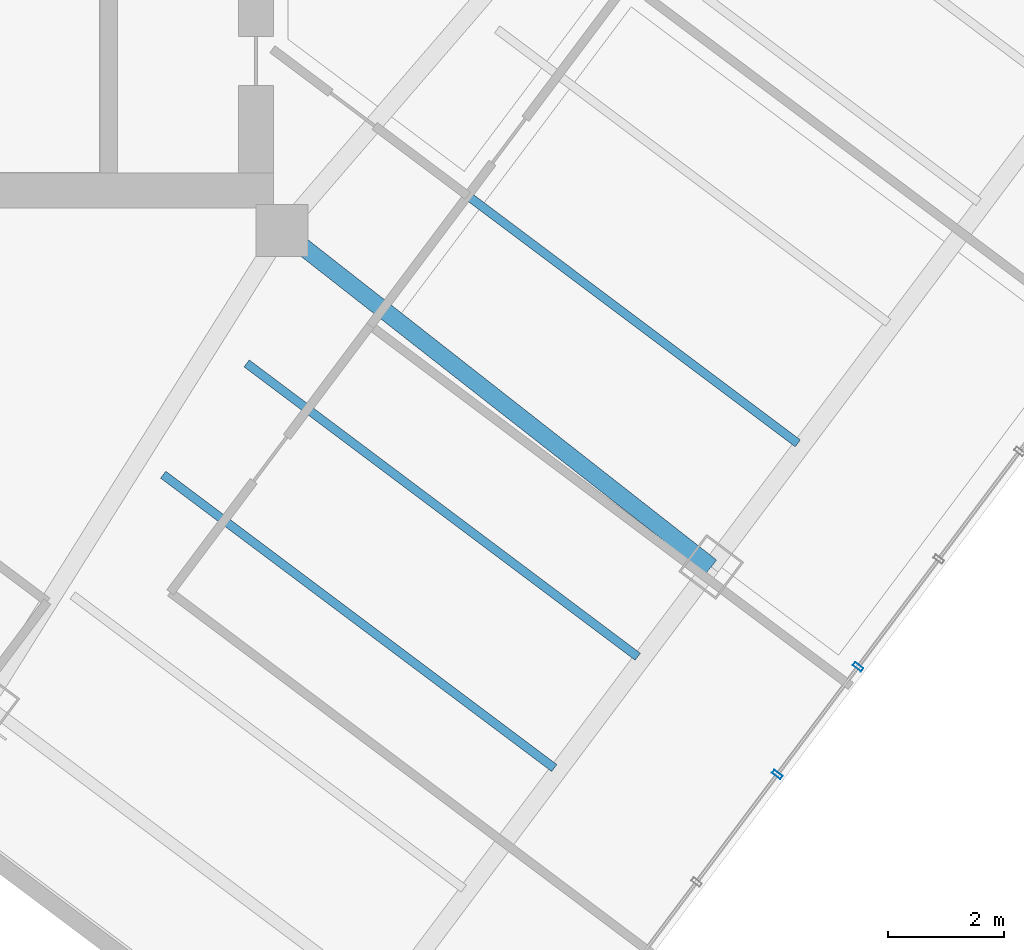
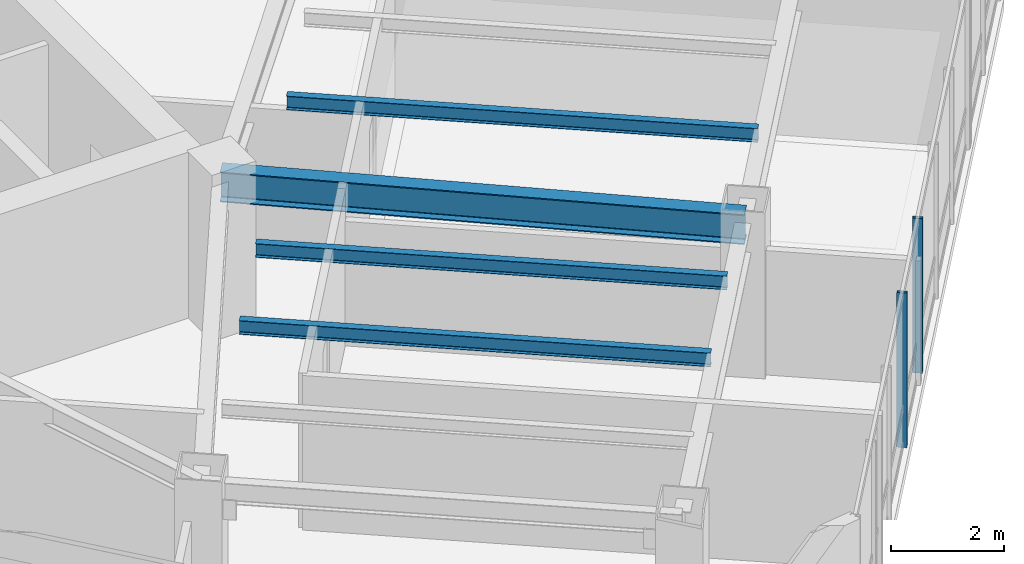
# One storey, part 11 of 27: 4 beams, 2 members, 1 element without a shape of its own.
"""IFC4 building model written with IfcOpenShell, lengths in metres."""

from ifc_helpers import new_model, si_unit, direction, frame, origin, origin_2d, place, context, subcontext, project, spatial, hollow_rectangle, i_section, extrude, material, layer, layer_set, material_profile, profile_set, type_object, element, aggregate, save


model = new_model("IFC4")

# Units and contexts
model_context = context("Model", 3, precision=1e-05, world=origin(), true_north=direction((0.0, 1.0)))
body_context = subcontext(model_context, "Body", "Model", "MODEL_VIEW")
ifc_project = project(units=[si_unit("LENGTHUNIT", "METRE"), si_unit("AREAUNIT", "SQUARE_METRE"), si_unit("VOLUMEUNIT", "CUBIC_METRE"), si_unit("PLANEANGLEUNIT", "RADIAN"), si_unit("MASSUNIT", "GRAM", prefix="KILO")], contexts=[model_context])

# Site, building, storey
site_placement = place(None, origin())
site = spatial("IfcSite", under=ifc_project, at=site_placement, CompositionType="ELEMENT")
building_placement = place(site_placement, origin())
building = spatial("IfcBuilding", under=site, at=building_placement, Name="Hatsunagi Terrace Concourse", CompositionType="ELEMENT")
storey_placement = place(building_placement, frame((0.0, 0.0, 142.050048828125)))
storey = spatial("IfcBuildingStorey", under=building, at=storey_placement, Name="L37", CompositionType="ELEMENT", Elevation=142.050048828125)

# Curtain wall, members
ifc_material_1 = material(Name="Anodised Aluminium Alloy 6063-T5", Category="aluminium")
ifc_layer = layer(ifc_material_1, 0.199951171875)
ifc_layer_set = layer_set([ifc_layer], Name="OfficeZone1_CW03")
curtain_wall_type = type_object("IfcCurtainWallType", Name="OfficeZone1_CW03", PredefinedType="NOTDEFINED", material=ifc_layer_set)
curtain_wall_placement = place(storey_placement, origin())
curtain_wall = element("IfcCurtainWall", 1, at=curtain_wall_placement, inside=storey, type_object=curtain_wall_type, Name="Unitised Curtain Wall CW-03 CW-L37-03", PredefinedType="NOTDEFINED")
ifc_material_2 = material(Name="Anodised Aluminium Alloy 6063-T5", Category="aluminium")
ifc_material_profile_1 = material_profile(ifc_material_2, hollow_rectangle(XDim=0.070068359375, YDim=0.179931640625, WallThickness=0.00390625, at=origin_2d()), Name="ALU-MUL-180x70x4")
ifc_profile_set_1 = profile_set([ifc_material_profile_1], Name="Anodised Aluminium Alloy 6063-T5")
member_type = type_object("IfcMemberType", Name="CurtainWallMullion_180x70", PredefinedType="MULLION", material=ifc_profile_set_1)
member_1_placement = place(storey_placement, frame((53.73193359375, 16.676025390625, 0.0), z_axis=(0.0, 0.0, 1.0), x_axis=(-0.599969314634, -0.800023013105, 0.0)))
member_1 = element("IfcMember", 2, at=member_1_placement, type_object=member_type, Name="Curtain Wall Mullion MUL-02", PredefinedType="MULLION", context=body_context, shape_type="SweptSolid", body=[
    extrude(hollow_rectangle(XDim=0.070068359375, YDim=0.179931640625, WallThickness=0.00390625, at=origin_2d()), origin(), (0.0, 0.0, 1.0), 3.349853515625),
])
member_2_placement = place(storey_placement, frame((52.340087890625, 14.819091796875, 0.0), z_axis=(0.0, 0.0, 1.0), x_axis=(-0.599969314634, -0.800023013105, 0.0)))
member_2 = element("IfcMember", 3, at=member_2_placement, type_object=member_type, Name="Curtain Wall Mullion MUL-02", PredefinedType="MULLION", context=body_context, shape_type="SweptSolid", body=[
    extrude(hollow_rectangle(XDim=0.070068359375, YDim=0.179931640625, WallThickness=0.00390625, at=origin_2d()), origin(), (0.0, 0.0, 1.0), 3.349853515625),
])
aggregate(curtain_wall, [member_1, member_2])

# Beams
ifc_material_3 = material(Name="Steel SN490B", Category="steel")
ifc_material_profile_2 = material_profile(ifc_material_3, i_section(OverallWidth=0.14990234375, OverallDepth=0.300048828125, WebThickness=0.006591796875, FlangeThickness=0.009033203125, FilletRadius=0.010986328125, at=origin_2d()), Name="H-300x150x6.5x9")
ifc_profile_set_2 = profile_set([ifc_material_profile_2], Name="Steel SN490B")
beam_type_1 = type_object("IfcBeamType", Name="OfficeJoist_H_300x150", PredefinedType="JOIST", material=ifc_profile_set_2)
for number, where, z_axis, x_axis, name in (
    (4, (41.748046875, 19.989013671875, 3.199951171875), (0.799989573921, -0.600013901187, 0.0), (0.600013901187, 0.799989573921, 0.0), "Beam J-03 J-L37-SE-2-72"),
    (5, (43.18798828125, 21.908935546875, 3.199951171875), (0.800003475366, -0.59999536615, 0.0), (0.59999536615, 0.800003475366, 0.0), "Beam J-03 J-L37-SE-2-96"),
    (6, (45.947998046875, 25.589111328125, 3.199951171875), (0.799989573921, -0.600013901187, 0.0), (0.600013901187, 0.799989573921, 0.0), "Beam J-03 J-L37-SE-2-142"),
):
    element("IfcBeam", number, at=place(storey_placement, frame(where, z_axis=z_axis, x_axis=x_axis)), inside=storey, type_object=beam_type_1, Name=name, PredefinedType="JOIST", context=body_context, shape_type="SweptSolid", body=[
        extrude(i_section(OverallWidth=0.14990234375, OverallDepth=0.300048828125, WebThickness=0.006591796875, FlangeThickness=0.009033203125, FilletRadius=0.010986328125, at=origin_2d()), origin(), (0.0, 0.0, 1.0), 8.429931640625),
    ])
ifc_material_4 = material(Name="Steel SN490B", Category="steel")
ifc_material_profile_3 = material_profile(ifc_material_4, i_section(OverallWidth=0.300048828125, OverallDepth=0.64990234375, WebThickness=0.012939453125, FlangeThickness=0.02197265625, FilletRadius=0.01806640625, at=origin_2d()), Name="H-650x300x13x22")
ifc_profile_set_3 = profile_set([ifc_material_profile_3], Name="Steel SN490B")
beam_type_2 = type_object("IfcBeamType", Name="OfficeLowGirder_H_650x300", PredefinedType="BEAM", material=ifc_profile_set_3)
beam_placement = place(storey_placement, frame((43.800048828125, 24.199951171875, 3.02490234375), z_axis=(0.787049441068, -0.616889923175, 0.0), x_axis=(0.616889923175, 0.787049441068, 0.0)))
element("IfcBeam", 7, at=beam_placement, inside=storey, type_object=beam_type_2, Name="Beam G-05 BM-L37-SE-M2", PredefinedType="BEAM", context=body_context, shape_type="SweptSolid", body=[
    extrude(i_section(OverallWidth=0.300048828125, OverallDepth=0.64990234375, WebThickness=0.012939453125, FlangeThickness=0.02197265625, FilletRadius=0.01806640625, at=origin_2d()), origin(), (0.0, 0.0, 1.0), 9.402099609375),
])

save(model, "model.ifc")
